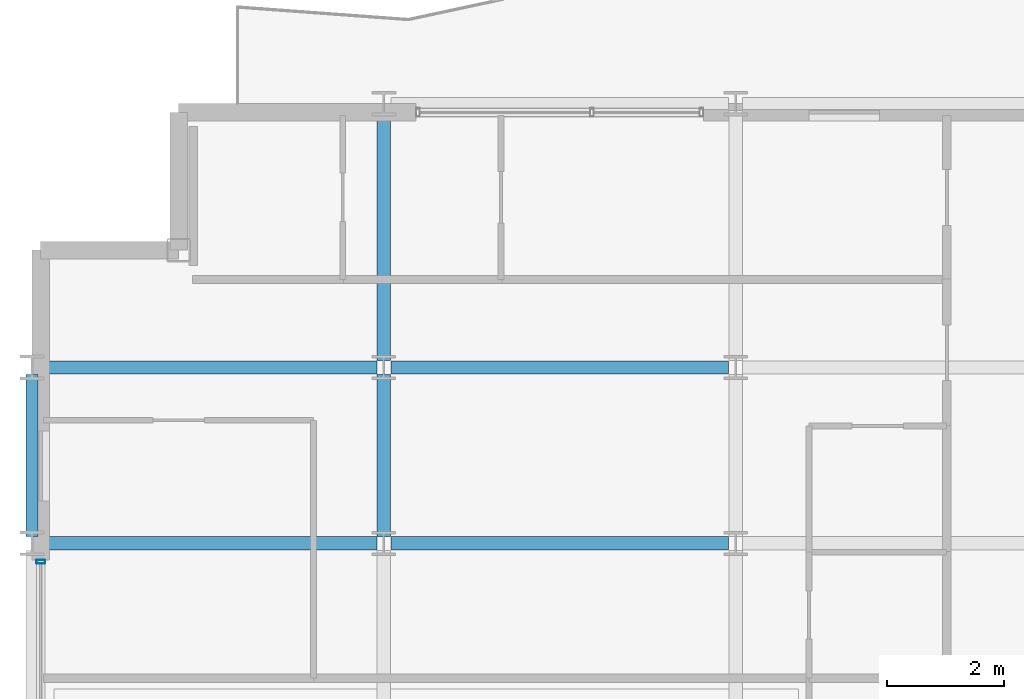
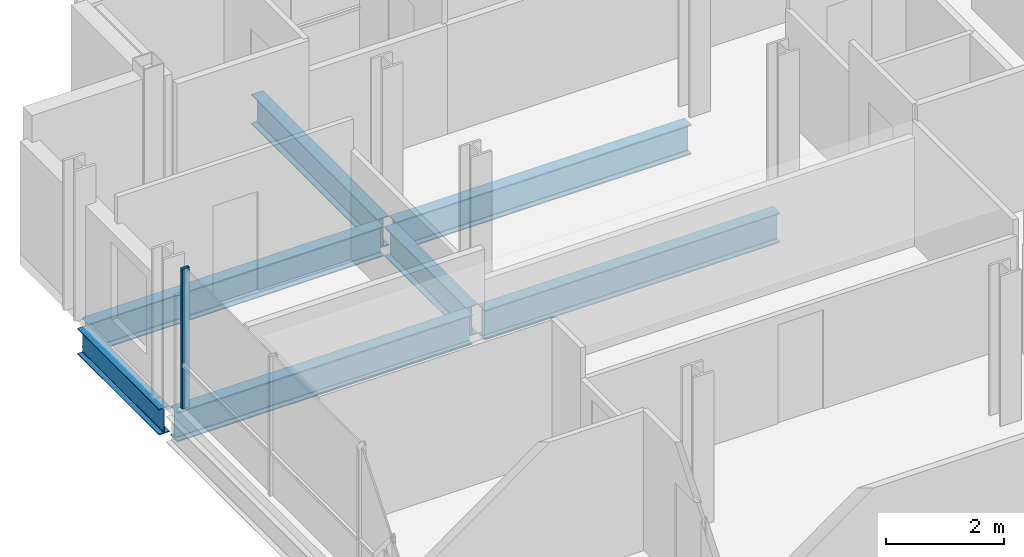
# One storey, part 9 of 41: 7 beams, 1 member, 1 element without a shape of its own.
"""IFC4 building model written with IfcOpenShell, lengths in metres."""

from ifc_helpers import new_model, si_unit, direction, frame, origin, origin_2d, place, context, subcontext, project, spatial, hollow_rectangle, i_section, extrude, material, layer, layer_set, material_profile, profile_set, type_object, element, aggregate, save


model = new_model("IFC4")

# Units and contexts
model_context = context("Model", 3, precision=1e-05, world=origin(), true_north=direction((0.0, 1.0)))
body_context = subcontext(model_context, "Body", "Model", "MODEL_VIEW")
ifc_project = project(units=[si_unit("LENGTHUNIT", "METRE"), si_unit("AREAUNIT", "SQUARE_METRE"), si_unit("VOLUMEUNIT", "CUBIC_METRE"), si_unit("PLANEANGLEUNIT", "RADIAN"), si_unit("MASSUNIT", "GRAM", prefix="KILO")], contexts=[model_context])

# Site, building, storey
site_placement = place(None, origin())
site = spatial("IfcSite", under=ifc_project, at=site_placement, CompositionType="ELEMENT")
building_placement = place(site_placement, origin())
building = spatial("IfcBuilding", under=site, at=building_placement, Name="Brevholm Reach", CompositionType="ELEMENT")
storey_placement = place(building_placement, frame((0.0, 0.0, 163.5)))
storey = spatial("IfcBuildingStorey", under=building, at=storey_placement, Name="L49", CompositionType="ELEMENT", Elevation=163.5)

# Beams
ifc_material_1 = material(Name="Structural Steel S355J2", Category="steel")
ifc_material_profile_1 = material_profile(ifc_material_1, i_section(OverallWidth=0.209228515625, OverallDepth=0.533203125, WebThickness=0.010009765625, FlangeThickness=0.015625, FilletRadius=0.0126953125, at=origin_2d()), Name="UKB 533x210x92")
ifc_profile_set_1 = profile_set([ifc_material_profile_1], Name="Structural Steel S355J2")
beam_type_1 = type_object("IfcBeamType", Name="BM-SP533", PredefinedType="SPANDREL", material=ifc_profile_set_1)
beam_1_placement = place(storey_placement, frame((0.0, 23.6201171875, -0.486572265625), z_axis=(0.0, 1.0, 0.0), x_axis=(-1.0, 0.0, 0.0)))
element("IfcBeam", 1, at=beam_1_placement, inside=storey, type_object=beam_type_1, Name="L49 SP-02 Framing Beam", PredefinedType="SPANDREL", context=body_context, shape_type="SweptSolid", body=[
    extrude(i_section(OverallWidth=0.209228515625, OverallDepth=0.533203125, WebThickness=0.010009765625, FlangeThickness=0.015625, FilletRadius=0.0126953125, at=origin_2d()), origin(), (0.0, 0.0, 1.0), 2.759765625),
])
ifc_material_2 = material(Name="Structural Steel S355J2", Category="steel")
ifc_material_profile_2 = material_profile(ifc_material_2, i_section(OverallWidth=0.22900390625, OverallDepth=0.6123046875, WebThickness=0.011962890625, FlangeThickness=0.01953125, FilletRadius=0.0126953125, at=origin_2d()), Name="UKB 610x229x125")
ifc_profile_set_2 = profile_set([ifc_material_profile_2], Name="Structural Steel S355J2")
beam_type_2 = type_object("IfcBeamType", Name="BM-SP610", PredefinedType="SPANDREL", material=ifc_profile_set_2)
for number, where, z_axis, x_axis, name in (
    (2, (0.1201171875, 23.5, -0.526123046875), (1.0, 0.0, 0.0), (0.0, 1.0, 0.0), "L49 SP-01 Framing Beam"),
    (3, (6.1201171875, 23.5, -0.526123046875), (1.0, 0.0, 0.0), (0.0, 1.0, 0.0), "L49 SP-01 Framing Beam"),
    (4, (0.1201171875, 26.5, -0.526123046875), (1.0, 0.0, 0.0), (0.0, 1.0, 0.0), "L49 SP-01 Framing Beam"),
    (5, (6.1201171875, 26.5, -0.526123046875), (1.0, 0.0, 0.0), (0.0, 1.0, 0.0), "L49 SP-01 Framing Beam"),
):
    element("IfcBeam", number, at=place(storey_placement, frame(where, z_axis=z_axis, x_axis=x_axis)), inside=storey, type_object=beam_type_2, Name=name, PredefinedType="SPANDREL", context=body_context, shape_type="SweptSolid", body=[
        extrude(i_section(OverallWidth=0.22900390625, OverallDepth=0.6123046875, WebThickness=0.011962890625, FlangeThickness=0.01953125, FilletRadius=0.0126953125, at=origin_2d()), origin(), (0.0, 0.0, 1.0), 5.759765625),
    ])
beam_2_placement = place(storey_placement, frame((6.0, 23.6201171875, -0.526123046875), z_axis=(0.0, 1.0, 0.0), x_axis=(-1.0, 0.0, 0.0)))
element("IfcBeam", 6, at=beam_2_placement, inside=storey, type_object=beam_type_2, Name="L49 SP-01 Framing Beam", PredefinedType="SPANDREL", context=body_context, shape_type="SweptSolid", body=[
    extrude(i_section(OverallWidth=0.22900390625, OverallDepth=0.6123046875, WebThickness=0.011962890625, FlangeThickness=0.01953125, FilletRadius=0.0126953125, at=origin_2d()), origin(), (0.0, 0.0, 1.0), 2.759765625),
])
beam_3_placement = place(storey_placement, frame((6.0, 26.6201171875, -0.526123046875), z_axis=(0.0, 1.0, 0.0), x_axis=(-1.0, 0.0, 0.0)))
element("IfcBeam", 7, at=beam_3_placement, inside=storey, type_object=beam_type_2, Name="L49 SP-01 Framing Beam", PredefinedType="SPANDREL", context=body_context, shape_type="SweptSolid", body=[
    extrude(i_section(OverallWidth=0.22900390625, OverallDepth=0.6123046875, WebThickness=0.011962890625, FlangeThickness=0.01953125, FilletRadius=0.0126953125, at=origin_2d()), origin(), (0.0, 0.0, 1.0), 4.259765625),
])

# Curtain wall, member
ifc_material_3 = material(Name="Dark Anodised Aluminium 6063-T6 and Solar-Control Glass", Category="aluminium")
ifc_layer = layer(ifc_material_3, 0.14990234375)
ifc_layer_set = layer_set([ifc_layer], Name="Dark Anodised Aluminium 6063-T6 and Solar-Control Glass")
curtain_wall_type = type_object("IfcCurtainWallType", Name="CW-01", PredefinedType="NOTDEFINED", material=ifc_layer_set)
curtain_wall_placement = place(storey_placement, origin())
curtain_wall = element("IfcCurtainWall", 8, at=curtain_wall_placement, inside=storey, type_object=curtain_wall_type, Name="L49 Curtain Wall CW-01", PredefinedType="NOTDEFINED")
ifc_material_4 = material(Name="Dark Anodised Aluminium 6063-T6", Category="aluminium")
ifc_material_profile_3 = material_profile(ifc_material_4, hollow_rectangle(XDim=0.06494140625, YDim=0.14990234375, WallThickness=0.0048828125, InnerFilletRadius=0.0048828125, OuterFilletRadius=0.010009765625, at=origin_2d()), Name="RHS 150x65x5")
ifc_profile_set_3 = profile_set([ifc_material_profile_3], Name="Dark Anodised Aluminium 6063-T6")
member_type = type_object("IfcMemberType", Name="CWM-150", PredefinedType="MULLION", material=ifc_profile_set_3)
member_placement = place(storey_placement, frame((0.14990234375, 23.1875, 0.0), z_axis=(0.0, 0.0, 1.0), x_axis=(0.0, -1.0, 0.0)))
member = element("IfcMember", 9, at=member_placement, type_object=member_type, Name="CM-150 Mullion 1", PredefinedType="MULLION", context=body_context, shape_type="SweptSolid", body=[
    extrude(hollow_rectangle(XDim=0.06494140625, YDim=0.14990234375, WallThickness=0.0048828125, InnerFilletRadius=0.0048828125, OuterFilletRadius=0.010009765625, at=origin_2d()), origin(), (0.0, 0.0, 1.0), 2.8798828125),
])
aggregate(curtain_wall, [member])

save(model, "model.ifc")
